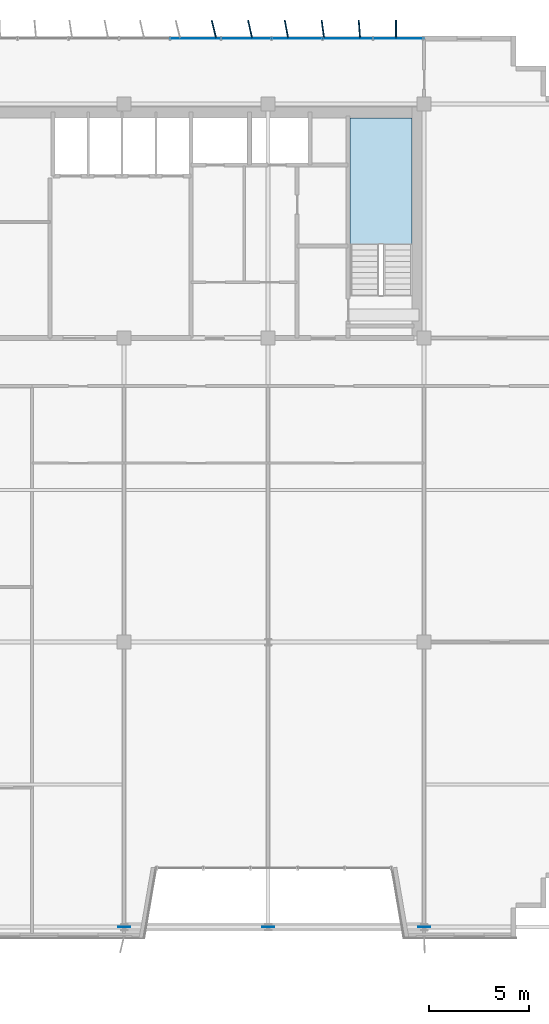
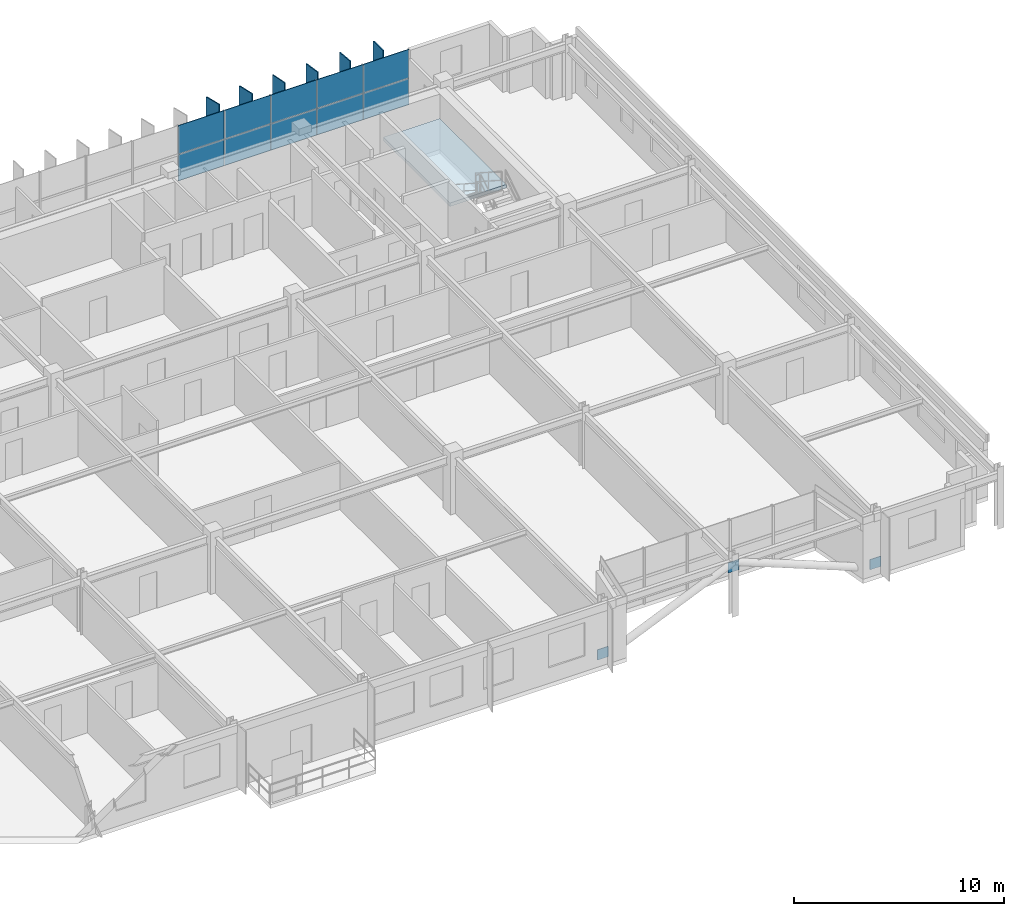
# One storey, part 20 of 27: 19 plates, 1 slab, 2 elements without a shape of their own.
"""IFC4 building model written with IfcOpenShell, lengths in metres."""

from ifc_helpers import new_model, si_unit, direction, frame, origin, origin_2d, place, context, subcontext, project, spatial, polyline, rectangle, outline, extrude, source, transform, mapped, material, layer, layer_set, type_object, element, aggregate, save


model = new_model("IFC4")

# Units and contexts
model_context = context("Model", 3, precision=1e-05, world=origin(), true_north=direction((0.0, 1.0)))
body_context = subcontext(model_context, "Body", "Model", "MODEL_VIEW")
ifc_project = project(units=[si_unit("LENGTHUNIT", "METRE"), si_unit("AREAUNIT", "SQUARE_METRE"), si_unit("VOLUMEUNIT", "CUBIC_METRE"), si_unit("PLANEANGLEUNIT", "RADIAN"), si_unit("MASSUNIT", "GRAM", prefix="KILO")], contexts=[model_context])

# Site, building, storey
site_placement = place(None, origin())
site = spatial("IfcSite", under=ifc_project, at=site_placement, CompositionType="ELEMENT")
building_placement = place(site_placement, origin())
building = spatial("IfcBuilding", under=site, at=building_placement, Name="Trelvane Seafront Commons", CompositionType="ELEMENT")
storey_placement = place(building_placement, frame((0.0, 0.0, 237.300048828125)))
storey = spatial("IfcBuildingStorey", under=building, at=storey_placement, Name="L62", CompositionType="ELEMENT", Elevation=237.300048828125)

# Stair, slab
ifc_material_1 = material(Name="Concrete C40/50", Category="concrete")
stair_type = type_object("IfcStairType", Name="ARCH-STR-ST-2-R20-180", PredefinedType="HALF_TURN_STAIR", material=ifc_material_1)
stair_placement = place(storey_placement, origin())
stair = element("IfcStair", 1, at=stair_placement, inside=storey, type_object=stair_type, Name="L62 East Protected Firefighting Exit Stair ST-2", PredefinedType="HALF_TURN_STAIR")
ifc_layer_1 = layer(ifc_material_1, 0.199951171875, Name="ARCH-LND-200")
ifc_layer_set_1 = layer_set([ifc_layer_1], Name="Concrete C40/50")
slab_type = type_object("IfcSlabType", Name="ARCH-LND-200", PredefinedType="LANDING", material=ifc_layer_set_1)
slab_placement = place(storey_placement, frame((0.0, 0.0, 1.599853515625)))
slab = element("IfcSlab", 2, at=slab_placement, type_object=slab_type, Name="ST-2 landing 1", PredefinedType="LANDING", context=body_context, shape_type="SweptSolid", body=[
    extrude(outline(polyline([(58.199951171875, 38.070068359375), (58.199951171875, 44.39990234375), (55.10009765625, 44.39990234375), (55.10009765625, 38.070068359375), (58.199951171875, 38.070068359375)])), origin(), (0.0, 0.0, 1.0), 0.2001953125),
])
aggregate(stair, [slab])

# Plates
ifc_material_2 = material(Name="Steel SM355 (S355)", Category="steel")
ifc_layer_2 = layer(ifc_material_2, 0.031982421875, Name="STR-PLT-GUS2")
ifc_layer_set_2 = layer_set([ifc_layer_2], Name="Steel SM355 (S355)")
plate_type_1 = type_object("IfcPlateType", Name="STR-PLT-GUS2", PredefinedType="SHEET", material=ifc_layer_set_2)
shared_shape_1 = source(origin(), body_context, "Body", "SweptSolid", [
    extrude(rectangle(XDim=0.60009765625, YDim=0.031982421875, at=origin_2d()), origin(), (0.0, 0.0, 1.0), 0.60009765625),
])
for number, where, z_axis, x_axis, name in (
    (3, (43.800048828125, 3.949951171875, -0.02001953125), (0.0, 0.0, 1.0), (1.0, 0.0, 0.0), "L62 Brace Connection Gusset Plate GP-195"),
    (4, (51.0, 3.949951171875, 2.52001953125), (0.0, 0.0, 1.0), (1.0, 0.0, 0.0), "L62 Brace Connection Gusset Plate GP-196"),
    (5, (58.800048828125, 3.949951171875, -0.02001953125), (0.0, 0.0, 1.0), (1.0, 0.0, 0.0), "L62 Brace Connection Gusset Plate GP-197"),
):
    element("IfcPlate", number, at=place(storey_placement, frame(where, z_axis=z_axis, x_axis=x_axis)), inside=storey, type_object=plate_type_1, Name=name, PredefinedType="SHEET", context=body_context, shape_type="MappedRepresentation", body=[
        mapped(shared_shape_1, transform((0.0, 0.0, 0.0), x_axis=(1.0, 0.0, 0.0), y_axis=(0.0, 1.0, 0.0), z_axis=(0.0, 0.0, 1.0), scale=1.0)),
    ])
ifc_material_3 = material(Name="Anodised pale-silver aluminium", Category="aluminium")
ifc_layer_3 = layer(ifc_material_3, 0.06005859375, Name="ARCH-PLATE-FIN900")
ifc_layer_set_3 = layer_set([ifc_layer_3], Name="Anodised pale-silver aluminium")
plate_type_2 = type_object("IfcPlateType", Name="ARCH-PLATE-FIN900", PredefinedType="USERDEFINED", material=ifc_layer_set_3)
shared_shape_2 = source(origin(), body_context, "Body", "SweptSolid", [
    extrude(rectangle(XDim=0.89990234375, YDim=0.06005859375, at=origin_2d()), origin(), (0.0, 0.0, 1.0), 3.639892578125),
])
for number, where, z_axis, x_axis, name in (
    (6, (48.29296875, 48.8369140625, -0.02001953125), (0.0, 0.0, 1.0), (-0.238114783007, 0.971237020564, 0.0), "FIN-L62-01744"),
    (7, (50.101806640625, 48.839111328125, -0.02001953125), (0.0, 0.0, 1.0), (-0.218119395186, 0.975922091892, 0.0), "FIN-L62-01745"),
    (8, (51.918212890625, 48.842529296875, -0.02001953125), (0.0, 0.0, 1.0), (-0.18188714504, 0.98331941223, 0.0), "FIN-L62-01746"),
    (9, (53.740478515625, 48.845947265625, -0.02001953125), (0.0, 0.0, 1.0), (-0.132003806334, 0.991249209388, 0.0), "FIN-L62-01747"),
    (10, (55.567626953125, 48.848876953125, -0.02001953125), (0.0, 0.0, 1.0), (-0.071997062901, 0.99740484405, 0.0), "FIN-L62-01748"),
    (11, (57.397216796875, 48.85009765625, -0.02001953125), (0.0, 0.0, 1.0), (-0.006443711006, 0.999979239079, 0.0), "FIN-L62-01749"),
):
    element("IfcPlate", number, at=place(storey_placement, frame(where, z_axis=z_axis, x_axis=x_axis)), inside=storey, type_object=plate_type_2, Name=name, ObjectType="FIN", PredefinedType="USERDEFINED", context=body_context, shape_type="MappedRepresentation", body=[
        mapped(shared_shape_2, transform((0.0, 0.0, 0.0), x_axis=(1.0, 0.0, 0.0), y_axis=(0.0, 1.0, 0.0), z_axis=(0.0, 0.0, 1.0), scale=1.0)),
    ])

# Curtain wall, plates
curtain_wall_type = type_object("IfcCurtainWallType", Name="ARCH-CW5-UPTOWER", PredefinedType="NOTDEFINED", material=ifc_material_3)
curtain_wall_placement = place(storey_placement, origin())
curtain_wall = element("IfcCurtainWall", 12, at=curtain_wall_placement, inside=storey, type_object=curtain_wall_type, Name="CW-L62-0106", PredefinedType="NOTDEFINED")
ifc_material_4 = material(Name="Low-E coastal double glazing", Category="glass")
ifc_layer_4 = layer(ifc_material_4, 0.033935546875, Name="ARCH-CW-GLAZ-34")
ifc_layer_set_4 = layer_set([ifc_layer_4], Name="Low-E coastal double glazing")
plate_type_3 = type_object("IfcPlateType", Name="ARCH-CW-GLAZ-34", PredefinedType="CURTAIN_PANEL", material=ifc_layer_set_4)
shared_shape_3 = source(origin(), body_context, "Body", "SweptSolid", [
    extrude(rectangle(XDim=2.51708984375, YDim=0.033935546875, at=origin_2d()), origin(), (0.0, 0.0, 1.0), 1.528076171875),
])
plate_1_placement = place(storey_placement, frame((47.36474609375, 48.3701171875, 0.0), z_axis=(0.0, 0.0, 1.0), x_axis=(1.0, 0.0, 0.0)))
plate_1 = element("IfcPlate", 13, at=plate_1_placement, type_object=plate_type_3, Name="CW-L62-0106-P12-1", PredefinedType="CURTAIN_PANEL", context=body_context, shape_type="MappedRepresentation", body=[
    mapped(shared_shape_3, transform((0.0, 0.0, 0.0), x_axis=(1.0, 0.0, 0.0), y_axis=(0.0, 1.0, 0.0), z_axis=(0.0, 0.0, 1.0), scale=1.0)),
])
plate_2_placement = place(storey_placement, frame((49.906005859375, 48.3701171875, 0.0), z_axis=(0.0, 0.0, 1.0), x_axis=(1.0, 0.0, 0.0)))
plate_2 = element("IfcPlate", 14, at=plate_2_placement, type_object=plate_type_3, Name="CW-L62-0106-P13-1", PredefinedType="CURTAIN_PANEL", context=body_context, shape_type="MappedRepresentation", body=[
    mapped(shared_shape_3, transform((0.0, 0.0, 0.0), x_axis=(1.0, 0.0, 0.0), y_axis=(0.0, 1.0, 0.0), z_axis=(0.0, 0.0, 1.0), scale=1.0)),
])
plate_3_placement = place(storey_placement, frame((52.447021484375, 48.3701171875, 0.0), z_axis=(0.0, 0.0, 1.0), x_axis=(1.0, 0.0, 0.0)))
plate_3 = element("IfcPlate", 15, at=plate_3_placement, type_object=plate_type_3, Name="CW-L62-0106-P14-1", PredefinedType="CURTAIN_PANEL", context=body_context, shape_type="MappedRepresentation", body=[
    mapped(shared_shape_3, transform((0.0, 0.0, 0.0), x_axis=(1.0, 0.0, 0.0), y_axis=(0.0, 1.0, 0.0), z_axis=(0.0, 0.0, 1.0), scale=1.0)),
])
plate_4_placement = place(storey_placement, frame((54.98828125, 48.3701171875, 0.0), z_axis=(0.0, 0.0, 1.0), x_axis=(1.0, 0.0, 0.0)))
plate_4 = element("IfcPlate", 16, at=plate_4_placement, type_object=plate_type_3, Name="CW-L62-0106-P15-1", PredefinedType="CURTAIN_PANEL", context=body_context, shape_type="MappedRepresentation", body=[
    mapped(shared_shape_3, transform((0.0, 0.0, 0.0), x_axis=(1.0, 0.0, 0.0), y_axis=(0.0, 1.0, 0.0), z_axis=(0.0, 0.0, 1.0), scale=1.0)),
])
plate_5_placement = place(storey_placement, frame((57.529296875, 48.3701171875, 0.0), z_axis=(0.0, 0.0, 1.0), x_axis=(1.0, 0.0, 0.0)))
plate_5 = element("IfcPlate", 17, at=plate_5_placement, type_object=plate_type_3, Name="CW-L62-0106-P16-1", PredefinedType="CURTAIN_PANEL", context=body_context, shape_type="MappedRepresentation", body=[
    mapped(shared_shape_3, transform((0.0, 0.0, 0.0), x_axis=(1.0, 0.0, 0.0), y_axis=(0.0, 1.0, 0.0), z_axis=(0.0, 0.0, 1.0), scale=1.0)),
])
shared_shape_4 = source(origin(), body_context, "Body", "SweptSolid", [
    extrude(rectangle(XDim=2.51708984375, YDim=0.033935546875, at=origin_2d()), origin(), (0.0, 0.0, 1.0), 1.656005859375),
])
plate_6_placement = place(storey_placement, frame((47.36474609375, 48.3701171875, 1.56396484375), z_axis=(0.0, 0.0, 1.0), x_axis=(1.0, 0.0, 0.0)))
plate_6 = element("IfcPlate", 18, at=plate_6_placement, type_object=plate_type_3, Name="CW-L62-0106-P12-2", PredefinedType="CURTAIN_PANEL", context=body_context, shape_type="MappedRepresentation", body=[
    mapped(shared_shape_4, transform((0.0, 0.0, 0.0), x_axis=(1.0, 0.0, 0.0), y_axis=(0.0, 1.0, 0.0), z_axis=(0.0, 0.0, 1.0), scale=1.0)),
])
plate_7_placement = place(storey_placement, frame((49.906005859375, 48.3701171875, 1.56396484375), z_axis=(0.0, 0.0, 1.0), x_axis=(1.0, 0.0, 0.0)))
plate_7 = element("IfcPlate", 19, at=plate_7_placement, type_object=plate_type_3, Name="CW-L62-0106-P13-2", PredefinedType="CURTAIN_PANEL", context=body_context, shape_type="MappedRepresentation", body=[
    mapped(shared_shape_4, transform((0.0, 0.0, 0.0), x_axis=(1.0, 0.0, 0.0), y_axis=(0.0, 1.0, 0.0), z_axis=(0.0, 0.0, 1.0), scale=1.0)),
])
plate_8_placement = place(storey_placement, frame((52.447021484375, 48.3701171875, 1.56396484375), z_axis=(0.0, 0.0, 1.0), x_axis=(1.0, 0.0, 0.0)))
plate_8 = element("IfcPlate", 20, at=plate_8_placement, type_object=plate_type_3, Name="CW-L62-0106-P14-2", PredefinedType="CURTAIN_PANEL", context=body_context, shape_type="MappedRepresentation", body=[
    mapped(shared_shape_4, transform((0.0, 0.0, 0.0), x_axis=(1.0, 0.0, 0.0), y_axis=(0.0, 1.0, 0.0), z_axis=(0.0, 0.0, 1.0), scale=1.0)),
])
plate_9_placement = place(storey_placement, frame((54.98828125, 48.3701171875, 1.56396484375), z_axis=(0.0, 0.0, 1.0), x_axis=(1.0, 0.0, 0.0)))
plate_9 = element("IfcPlate", 21, at=plate_9_placement, type_object=plate_type_3, Name="CW-L62-0106-P15-2", PredefinedType="CURTAIN_PANEL", context=body_context, shape_type="MappedRepresentation", body=[
    mapped(shared_shape_4, transform((0.0, 0.0, 0.0), x_axis=(1.0, 0.0, 0.0), y_axis=(0.0, 1.0, 0.0), z_axis=(0.0, 0.0, 1.0), scale=1.0)),
])
plate_10_placement = place(storey_placement, frame((57.529296875, 48.3701171875, 1.56396484375), z_axis=(0.0, 0.0, 1.0), x_axis=(1.0, 0.0, 0.0)))
plate_10 = element("IfcPlate", 22, at=plate_10_placement, type_object=plate_type_3, Name="CW-L62-0106-P16-2", PredefinedType="CURTAIN_PANEL", context=body_context, shape_type="MappedRepresentation", body=[
    mapped(shared_shape_4, transform((0.0, 0.0, 0.0), x_axis=(1.0, 0.0, 0.0), y_axis=(0.0, 1.0, 0.0), z_axis=(0.0, 0.0, 1.0), scale=1.0)),
])
aggregate(curtain_wall, [plate_1, plate_6, plate_2, plate_7, plate_3, plate_8, plate_4, plate_9, plate_5, plate_10])

save(model, "model.ifc")
